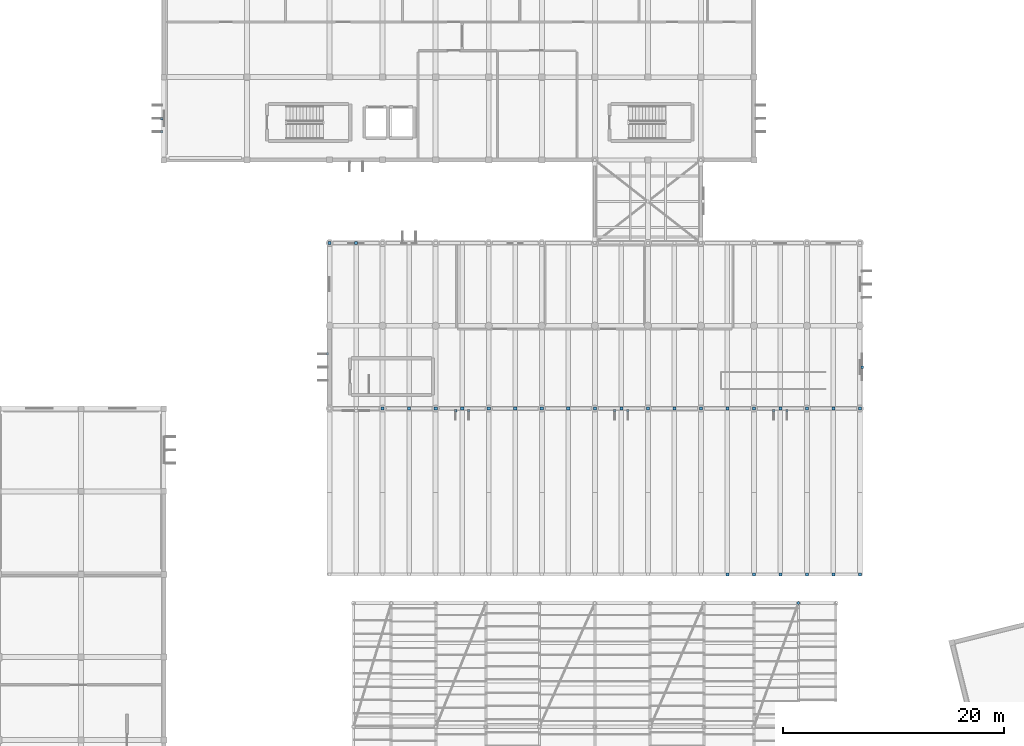
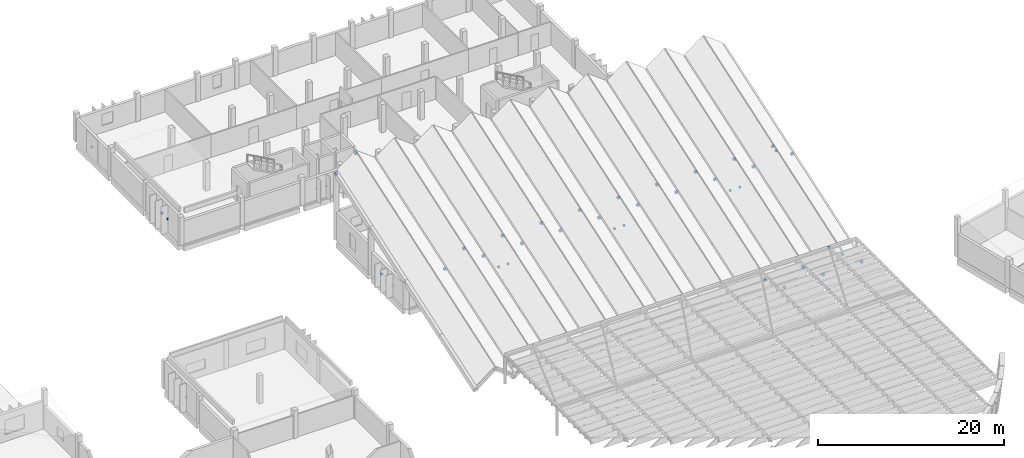
# One storey, part 36 of 47: 38 discrete accessories.
"""IFC4 building model written with IfcOpenShell, lengths in metres."""

from ifc_helpers import new_model, si_unit, direction, frame, origin, origin_2d, place, context, subcontext, project, spatial, rectangle, extrude, material, layer, layer_set, type_object, element, save


model = new_model("IFC4")

# Units and contexts
model_context = context("Model", 3, precision=1e-05, world=origin(), true_north=direction((0.0, 1.0)))
body_context = subcontext(model_context, "Body", "Model", "MODEL_VIEW")
ifc_project = project(units=[si_unit("LENGTHUNIT", "METRE"), si_unit("AREAUNIT", "SQUARE_METRE"), si_unit("VOLUMEUNIT", "CUBIC_METRE"), si_unit("PLANEANGLEUNIT", "RADIAN"), si_unit("MASSUNIT", "GRAM", prefix="KILO")], contexts=[model_context])

# Site, building, storey
site_placement = place(None, origin())
site = spatial("IfcSite", under=ifc_project, at=site_placement, CompositionType="ELEMENT")
building_placement = place(site_placement, origin())
building = spatial("IfcBuilding", under=site, at=building_placement, Name="Mawjan Specialist Oncology Clinic", CompositionType="ELEMENT")
storey_placement = place(building_placement, frame((0.0, 0.0, 9.5)))
storey = spatial("IfcBuildingStorey", under=building, at=storey_placement, Name="L02", CompositionType="ELEMENT", Elevation=9.5)

# Discrete accessories
ifc_material = material(Name="Structural steel S355", Category="steel")
ifc_layer = layer(ifc_material, 0.219970703125, Name="Structural steel S355", Category="steel")
ifc_layer_set = layer_set([ifc_layer], Name="Structural steel S355")
discrete_accessory_type = type_object("IfcDiscreteAccessoryType", Name="BRK-S355", PredefinedType="BRACKET", material=ifc_layer_set)
for number, where, z_axis, x_axis, name in (
    (1, (64.800048828125, 60.800048828125, 3.2998046875), (0.0, 0.0, 1.0), (1.0, 0.0, 0.0), "Strut End Gusset Connection Plate 14"),
    (2, (60.0, 75.800048828125, 8.39990234375), (0.0, 0.0, 1.0), (1.0, 0.0, 0.0), "Strut End Gusset Connection Plate 15"),
    (3, (62.39990234375, 75.800048828125, 10.23974609375), (0.0, 0.0, 1.0), (1.0, 0.0, 0.0), "Strut End Gusset Connection Plate 16"),
    (4, (67.199951171875, 60.800048828125, 5.14013671875), (0.0, 0.0, 1.0), (1.0, 0.0, 0.0), "Strut End Gusset Connection Plate 20"),
    (5, (69.60009765625, 60.800048828125, 3.2998046875), (0.0, 0.0, 1.0), (1.0, 0.0, 0.0), "Strut End Gusset Connection Plate 21"),
    (6, (72.0, 60.800048828125, 5.14013671875), (0.0, 0.0, 1.0), (1.0, 0.0, 0.0), "Strut End Gusset Connection Plate 26"),
    (7, (74.39990234375, 60.800048828125, 3.2998046875), (0.0, 0.0, 1.0), (1.0, 0.0, 0.0), "Strut End Gusset Connection Plate 27"),
    (8, (76.800048828125, 60.800048828125, 5.14013671875), (0.0, 0.0, 1.0), (1.0, 0.0, 0.0), "Strut End Gusset Connection Plate 32"),
    (9, (79.199951171875, 60.800048828125, 3.2998046875), (0.0, 0.0, 1.0), (1.0, 0.0, 0.0), "Strut End Gusset Connection Plate 33"),
    (10, (81.60009765625, 60.800048828125, 5.14013671875), (0.0, 0.0, 1.0), (1.0, 0.0, 0.0), "Strut End Gusset Connection Plate 38"),
    (11, (84.0, 60.800048828125, 3.2998046875), (0.0, 0.0, 1.0), (1.0, 0.0, 0.0), "Strut End Gusset Connection Plate 39"),
    (12, (86.39990234375, 60.800048828125, 5.14013671875), (0.0, 0.0, 1.0), (1.0, 0.0, 0.0), "Strut End Gusset Connection Plate 44"),
    (13, (88.800048828125, 60.800048828125, 3.2998046875), (0.0, 0.0, 1.0), (1.0, 0.0, 0.0), "Strut End Gusset Connection Plate 45"),
    (14, (91.199951171875, 60.800048828125, 5.14013671875), (0.0, 0.0, 1.0), (1.0, 0.0, 0.0), "Strut End Gusset Connection Plate 50"),
    (15, (93.60009765625, 60.800048828125, 3.2998046875), (0.0, 0.0, 1.0), (1.0, 0.0, 0.0), "Strut End Gusset Connection Plate 51"),
    (16, (96.0, 45.800048828125, 0.0400390625), (0.0, 0.0, 1.0), (1.0, 0.0, 0.0), "Strut End Gusset Connection Plate 54"),
    (17, (98.39990234375, 45.800048828125, -1.7998046875), (0.0, 0.0, 1.0), (1.0, 0.0, 0.0), "Strut End Gusset Connection Plate 55"),
    (18, (96.0, 60.800048828125, 5.14013671875), (0.0, 0.0, 1.0), (1.0, 0.0, 0.0), "Strut End Gusset Connection Plate 56"),
    (19, (98.39990234375, 60.800048828125, 3.2998046875), (0.0, 0.0, 1.0), (1.0, 0.0, 0.0), "Strut End Gusset Connection Plate 57"),
    (20, (100.800048828125, 45.800048828125, 0.0400390625), (0.0, 0.0, 1.0), (1.0, 0.0, 0.0), "Strut End Gusset Connection Plate 60"),
    (21, (103.199951171875, 45.800048828125, -1.7998046875), (0.0, 0.0, 1.0), (1.0, 0.0, 0.0), "Strut End Gusset Connection Plate 61"),
    (22, (100.800048828125, 60.800048828125, 5.14013671875), (0.0, 0.0, 1.0), (1.0, 0.0, 0.0), "Strut End Gusset Connection Plate 62"),
    (23, (103.199951171875, 60.800048828125, 3.2998046875), (0.0, 0.0, 1.0), (1.0, 0.0, 0.0), "Strut End Gusset Connection Plate 63"),
    (24, (105.60009765625, 45.800048828125, 0.0400390625), (0.0, 0.0, 1.0), (1.0, 0.0, 0.0), "Strut End Gusset Connection Plate 66"),
    (25, (108.0, 45.800048828125, -1.7998046875), (0.0, 0.0, 1.0), (1.0, 0.0, 0.0), "Strut End Gusset Connection Plate 67"),
    (26, (105.60009765625, 60.800048828125, 5.14013671875), (0.0, 0.0, 1.0), (1.0, 0.0, 0.0), "Strut End Gusset Connection Plate 68"),
    (27, (108.0, 60.800048828125, 3.2998046875), (0.0, 0.0, 1.0), (1.0, 0.0, 0.0), "Strut End Gusset Connection Plate 69"),
):
    element("IfcDiscreteAccessory", number, at=place(storey_placement, frame(where, z_axis=z_axis, x_axis=x_axis)), inside=storey, type_object=discrete_accessory_type, Name=name, PredefinedType="BRACKET", context=body_context, shape_type="SweptSolid", body=[
        extrude(rectangle(XDim=0.280029296875, YDim=0.280029296875, at=origin_2d()), origin(), (0.0, 0.0, 1.0), 0.280029296875),
    ])
discrete_accessory_1_placement = place(storey_placement, frame((102.426513671875, 43.199951171875, 3.6748046875), z_axis=(0.0, 0.0, 1.0), x_axis=(1.0, 0.0, 0.0)))
element("IfcDiscreteAccessory", 28, at=discrete_accessory_1_placement, inside=storey, type_object=discrete_accessory_type, Name="Brace End Gusset Connection Plate 81", PredefinedType="BRACKET", context=body_context, shape_type="SweptSolid", body=[
    extrude(rectangle(XDim=0.239990234375, YDim=0.239990234375, at=origin_2d()), origin(), (0.0, 0.0, 1.0), 0.199951171875),
])
for number, where, z_axis, x_axis, name in (
    (29, (44.804931640625, 85.85009765625, 1.740234375), (0.0, 0.0, 1.0), (0.0, 1.0, 0.0), "Solar Fin Mounting Bracket 37"),
    (30, (44.804931640625, 87.050048828125, 1.740234375), (0.0, 0.0, 1.0), (0.0, 1.0, 0.0), "Solar Fin Mounting Bracket 38"),
):
    element("IfcDiscreteAccessory", number, at=place(storey_placement, frame(where, z_axis=z_axis, x_axis=x_axis)), inside=storey, type_object=discrete_accessory_type, Name=name, PredefinedType="BRACKET", context=body_context, shape_type="SweptSolid", body=[
        extrude(rectangle(XDim=0.219970703125, YDim=0.219970703125, at=origin_2d()), origin(), (0.0, 0.0, 1.0), 0.219970703125),
    ])
discrete_accessory_2_placement = place(storey_placement, frame((108.195068359375, 64.550048828125, 1.4189453125), z_axis=(0.0, 0.0, 1.0), x_axis=(0.0, -1.0, 0.0)))
element("IfcDiscreteAccessory", 31, at=discrete_accessory_2_placement, inside=storey, type_object=discrete_accessory_type, Name="Rawshan Screen Mounting Bracket 54", PredefinedType="BRACKET", context=body_context, shape_type="SweptSolid", body=[
    extrude(rectangle(XDim=0.239990234375, YDim=0.239990234375, at=origin_2d()), origin(), (0.0, 0.0, 1.0), 0.219970703125),
])
for number, where, z_axis, x_axis, name in (
    (32, (101.39990234375, 60.60498046875, 1.38720703125), (0.0, 0.0, 1.0), (-1.0, 0.0, 0.0), "Solar Fin Mounting Bracket 55"),
    (33, (100.199951171875, 60.60498046875, 1.38720703125), (0.0, 0.0, 1.0), (-1.0, 0.0, 0.0), "Solar Fin Mounting Bracket 56"),
    (34, (87.0, 60.60498046875, 1.38720703125), (0.0, 0.0, 1.0), (-1.0, 0.0, 0.0), "Solar Fin Mounting Bracket 57"),
    (35, (85.800048828125, 60.60498046875, 1.38720703125), (0.0, 0.0, 1.0), (-1.0, 0.0, 0.0), "Solar Fin Mounting Bracket 58"),
    (36, (72.60009765625, 60.60498046875, 1.38720703125), (0.0, 0.0, 1.0), (-1.0, 0.0, 0.0), "Solar Fin Mounting Bracket 59"),
    (37, (71.39990234375, 60.60498046875, 1.38720703125), (0.0, 0.0, 1.0), (-1.0, 0.0, 0.0), "Solar Fin Mounting Bracket 60"),
    (38, (59.804931640625, 65.75, 1.4189453125), (0.0, 0.0, 1.0), (0.0, 1.0, 0.0), "Solar Fin Mounting Bracket 64"),
):
    element("IfcDiscreteAccessory", number, at=place(storey_placement, frame(where, z_axis=z_axis, x_axis=x_axis)), inside=storey, type_object=discrete_accessory_type, Name=name, PredefinedType="BRACKET", context=body_context, shape_type="SweptSolid", body=[
        extrude(rectangle(XDim=0.219970703125, YDim=0.219970703125, at=origin_2d()), origin(), (0.0, 0.0, 1.0), 0.219970703125),
    ])

save(model, "model.ifc")
